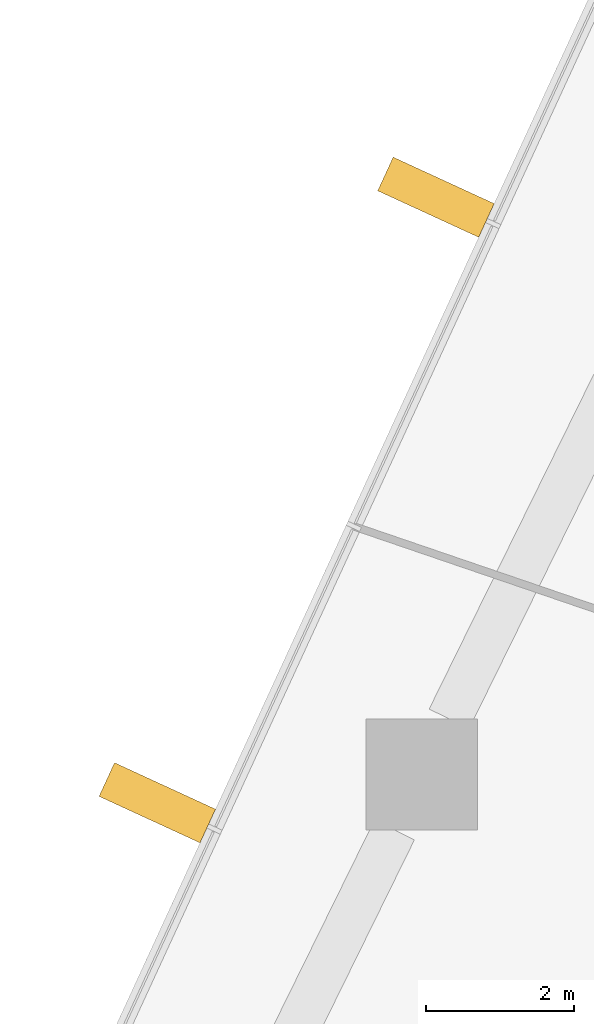
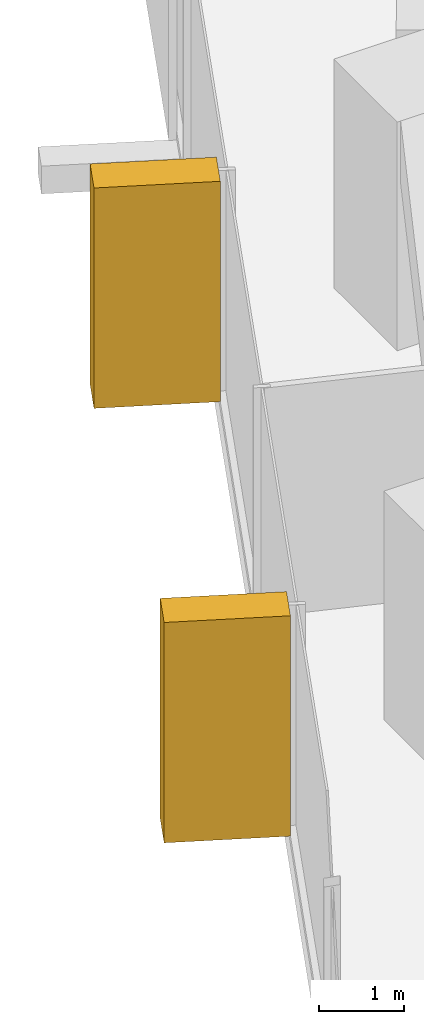
# One storey, part 24 of 26: 2 coverings, 1 element without a shape of its own.
"""IFC4 building model written with IfcOpenShell, lengths in metres."""

import ifcopenshell
import ifcopenshell.guid

model = None  # the IFC model being written
_history = None  # IfcOwnerHistory: only IFC2X3 demands one
_inside = {}  # id of a spatial element -> (the spatial element, [elements in it])
_under = {}  # id of a project, library or spatial element -> (it, [spatial elements below it])
_declared = {}  # id of a project -> (the project, [libraries it declares])
_typed = {}  # id of a type object -> (the type object, [elements of that type])
_made_of = {}  # id of a material, layer set ... -> (it, [elements and type objects made of it])


def new_model(schema):
    """Start an empty IFC model of exactly this schema.

    Asked for "IFC4X3", IfcOpenShell would pick the latest addendum, in which some entities
    have other attributes; the version numbers below select the first issue.
    IFC2X3 requires an IfcOwnerHistory on every rooted entity: one is made here for all.
    """
    global model, _history
    if schema == "IFC4X3":
        model = ifcopenshell.file(schema_version=(4, 3, 0, 0))
    else:
        model = ifcopenshell.file(schema=schema)
    _inside.clear()
    _under.clear()
    _declared.clear()
    _typed.clear()
    _made_of.clear()
    _history = None
    if model.schema == "IFC2X3":
        org = make("IfcOrganization", Name="unknown")
        user = make(
            "IfcPersonAndOrganization",
            ThePerson=make("IfcPerson", FamilyName="unknown"),
            TheOrganization=org,
        )
        app = make(
            "IfcApplication",
            ApplicationDeveloper=org,
            Version="unknown",
            ApplicationFullName="unknown",
            ApplicationIdentifier="unknown",
        )
        _history = make(
            "IfcOwnerHistory",
            OwningUser=user,
            OwningApplication=app,
            ChangeAction="ADDED",
            CreationDate=0,
        )
    return model


def make(cls, **values):
    """One entity of the class cls with the attributes given. An attribute that is None is left unset."""
    return model.create_entity(
        cls, **{name: value for name, value in values.items() if value is not None}
    )


def rooted(cls, **values):
    """An entity with a GlobalId (a new one), such as an element, a storey or a relation."""
    return make(cls, GlobalId=ifcopenshell.guid.new(), OwnerHistory=_history, **values)


def si_unit(unit_type, name, prefix=None):
    """IfcSIUnit, for example si_unit("LENGTHUNIT", "METRE", prefix="MILLI")."""
    return make("IfcSIUnit", UnitType=unit_type, Prefix=prefix, Name=name)


def assignment(units):
    """IfcUnitAssignment: the units of a project."""
    return None if units is None else make("IfcUnitAssignment", Units=units)


def point(xyz):
    """IfcCartesianPoint."""
    return None if xyz is None else make("IfcCartesianPoint", Coordinates=xyz)


def direction(xyz):
    """IfcDirection."""
    return None if xyz is None else make("IfcDirection", DirectionRatios=xyz)


def frame(location, z_axis=None, x_axis=None):
    """IfcAxis2Placement3D, a coordinate frame: its origin and axes. An axis left out is left unset."""
    return make(
        "IfcAxis2Placement3D",
        Location=point(location),
        Axis=direction(z_axis),
        RefDirection=direction(x_axis),
    )


def frame_2d(location, x_axis=None):
    """IfcAxis2Placement2D, a coordinate frame in the plane: its origin and x axis."""
    return make(
        "IfcAxis2Placement2D", Location=point(location), RefDirection=direction(x_axis)
    )


def origin():
    """The frame at (0, 0, 0) with its axes left unset."""
    return frame((0.0, 0.0, 0.0))


def origin_2d():
    """The frame at (0, 0) in the plane with its x axis left unset."""
    return frame_2d((0.0, 0.0))


def place(relative_to, where):
    """IfcLocalPlacement: puts the frame where relative to a parent placement (None: the world)."""
    return make(
        "IfcLocalPlacement", PlacementRelTo=relative_to, RelativePlacement=where
    )


def context(
    kind, dimensions, precision=None, world=None, true_north=None, identifier=None
):
    """IfcGeometricRepresentationContext, for example the 3D "Model" context."""
    return make(
        "IfcGeometricRepresentationContext",
        ContextIdentifier=identifier,
        ContextType=kind,
        CoordinateSpaceDimension=dimensions,
        Precision=precision,
        WorldCoordinateSystem=world,
        TrueNorth=true_north,
    )


def subcontext(parent, identifier, kind, view, scale=None):
    """IfcGeometricRepresentationSubContext, for example "Body" below "Model"."""
    return make(
        "IfcGeometricRepresentationSubContext",
        ContextIdentifier=identifier,
        ContextType=kind,
        ParentContext=parent,
        TargetScale=scale,
        TargetView=view,
    )


def project(units=None, contexts=None):
    """IfcProject with its units and contexts."""
    return rooted(
        "IfcProject",
        Name="project",
        RepresentationContexts=contexts,
        UnitsInContext=assignment(units),
    )


def spatial(cls, under=None, at=None, **own):
    """A site, building, storey or space (cls), placed at a placement, below another one or the project."""
    s = rooted(cls, ObjectPlacement=at, **own)
    if under is not None:
        _under.setdefault(under.id(), (under, []))[1].append(s)
    return s


def profile(cls, at=None, kind="AREA", **sizes):
    """A parametric profile (cls). Its sizes go by their IFC names, for example OverallWidth=200.0."""
    return make(cls, ProfileType=kind, Position=at, **sizes)


def rectangle(**sizes):
    """IfcRectangleProfileDef."""
    return profile("IfcRectangleProfileDef", **sizes)


def extrude(swept, where, along, depth):
    """IfcExtrudedAreaSolid: the profile swept, set in the frame where, extruded along a direction by depth."""
    return make(
        "IfcExtrudedAreaSolid",
        SweptArea=swept,
        Position=where,
        ExtrudedDirection=direction(along),
        Depth=depth,
    )


def shape(context_of_items, identifier, shape_type, items):
    """IfcShapeRepresentation: the items that make up one representation, for example the "Body"."""
    return make(
        "IfcShapeRepresentation",
        ContextOfItems=context_of_items,
        RepresentationIdentifier=identifier,
        RepresentationType=shape_type,
        Items=items,
    )


def material(Name=None, Category=None):
    """IfcMaterial."""
    return make("IfcMaterial", Name=Name, Category=Category)


def layer(
    of_material, thickness, ventilated=None, Name=None, Category=None, Priority=None
):
    """IfcMaterialLayer: one layer of a wall or slab, of a material (None: an air gap)."""
    return make(
        "IfcMaterialLayer",
        Material=of_material,
        LayerThickness=thickness,
        IsVentilated=ventilated,
        Name=Name,
        Category=Category,
        Priority=Priority,
    )


def layer_set(layers, Name=None):
    """IfcMaterialLayerSet."""
    return make("IfcMaterialLayerSet", MaterialLayers=layers, LayerSetName=Name)


def material_profile(
    of_material, cross_section, Name=None, Category=None, Priority=None
):
    """IfcMaterialProfile: a cross section and its material."""
    return make(
        "IfcMaterialProfile",
        Name=Name,
        Material=of_material,
        Profile=cross_section,
        Priority=Priority,
        Category=Category,
    )


def profile_set(profiles, Name=None, composite=None):
    """IfcMaterialProfileSet."""
    return make(
        "IfcMaterialProfileSet",
        Name=Name,
        MaterialProfiles=profiles,
        CompositeProfile=composite,
    )


def made_of(thing, what):
    """Note that an element or type object is made of a material, layer set ...; save() writes the relation."""
    if what is not None:
        _made_of.setdefault(what.id(), (what, []))[1].append(thing)
    return thing


def type_object(cls, material=None, **own):
    """A type object (cls), such as IfcWallType, which elements share."""
    return made_of(rooted(cls, **own), material)


def element(
    cls,
    number,
    at=None,
    inside=None,
    cuts=None,
    type_object=None,
    material=None,
    context=None,
    identifier="Body",
    shape_type=None,
    held_by="IfcProductDefinitionShape",
    body=None,
    shapes=None,
    **own,
):
    """One element of the class cls, such as IfcWall. Its Tag is "e" and its number.

    at: its placement. inside: the storey or other place that contains it. cuts: it is an
    opening in that element (IfcRelVoidsElement). A single representation is given by context,
    identifier, shape_type and body (its items); several are given by shapes. held_by: the class
    of the entity that holds the representations. save() writes the other relations.
    """
    e = rooted(cls, Tag="e%d" % number, ObjectPlacement=at, **own)
    if body is not None:
        shapes = [shape(context, identifier, shape_type, body)]
    if shapes is not None:
        e.Representation = make(held_by, Representations=shapes)
    if inside is not None:
        _inside.setdefault(inside.id(), (inside, []))[1].append(e)
    if cuts is not None:
        rooted(
            "IfcRelVoidsElement", RelatingBuildingElement=cuts, RelatedOpeningElement=e
        )
    if type_object is not None:
        _typed.setdefault(type_object.id(), (type_object, []))[1].append(e)
    return made_of(e, material)


def aggregate(whole, parts):
    """IfcRelAggregates: a whole, such as a stair, and the parts it consists of."""
    return rooted("IfcRelAggregates", RelatingObject=whole, RelatedObjects=parts)


def save(model, path):
    """Write the relations noted so far, then the file.

    IfcRelAggregates (storeys below a building ...), IfcRelContainedInSpatialStructure (elements
    in a storey), IfcRelDefinesByType, IfcRelAssociatesMaterial and IfcRelDeclares: one each for
    every whole, place, type object, material and project.
    """
    for whole, parts in _under.values():
        aggregate(whole, parts)
    for where, things in _inside.values():
        rooted(
            "IfcRelContainedInSpatialStructure",
            RelatedElements=things,
            RelatingStructure=where,
        )
    for kind, things in _typed.values():
        rooted("IfcRelDefinesByType", RelatedObjects=things, RelatingType=kind)
    for what, things in _made_of.values():
        rooted("IfcRelAssociatesMaterial", RelatedObjects=things, RelatingMaterial=what)
    for by, libraries in _declared.values():
        rooted("IfcRelDeclares", RelatingContext=by, RelatedDefinitions=libraries)
    model.write(path)


model = new_model("IFC4")

# Units and contexts
model_context = context("Model", 3, precision=1e-05, world=origin(), true_north=direction((0.0, 1.0)))
body_context = subcontext(model_context, "Body", "Model", "MODEL_VIEW")
ifc_project = project(units=[si_unit("LENGTHUNIT", "METRE"), si_unit("AREAUNIT", "SQUARE_METRE"), si_unit("VOLUMEUNIT", "CUBIC_METRE"), si_unit("PLANEANGLEUNIT", "RADIAN"), si_unit("MASSUNIT", "GRAM", prefix="KILO")], contexts=[model_context])

# Site, building, storey
site_placement = place(None, origin())
site = spatial("IfcSite", under=ifc_project, at=site_placement, CompositionType="ELEMENT")
building_placement = place(site_placement, origin())
building = spatial("IfcBuilding", under=site, at=building_placement, Name="Dongbaek Canopy Tower", CompositionType="ELEMENT")
storey_placement = place(building_placement, frame((0.0, 0.0, 66.199951171875)))
storey = spatial("IfcBuildingStorey", under=building, at=storey_placement, Name="L12", CompositionType="ELEMENT", Elevation=66.199951171875)

# Curtain wall, coverings
ifc_material_1 = material(Name="Aluminium 6063-T6 pale anodised", Category="aluminium")
ifc_layer = layer(ifc_material_1, 0.199951171875)
ifc_layer_set = layer_set([ifc_layer], Name="CW-1 unitised tower curtain wall")
curtain_wall_type = type_object("IfcCurtainWallType", Name="CW-1 unitised tower curtain wall", PredefinedType="NOTDEFINED", material=ifc_layer_set)
curtain_wall_placement = place(storey_placement, origin())
curtain_wall = element("IfcCurtainWall", 1, at=curtain_wall_placement, inside=storey, type_object=curtain_wall_type, Name="CW-1 curtain wall F2.1", PredefinedType="NOTDEFINED")
ifc_material_2 = material(Name="Aluminium 6063-T6 pale metal fin", Category="aluminium")
ifc_material_profile = material_profile(ifc_material_2, rectangle(XDim=1.5, YDim=0.5, at=origin_2d()), Name="Fin FN1 500 x 1500 pale metal")
ifc_profile_set = profile_set([ifc_material_profile], Name="Aluminium 6063-T6 pale metal fin")
covering_type = type_object("IfcCoveringType", Name="Fin FN1 500 x 1500 pale metal", PredefinedType="CLADDING", material=ifc_profile_set)
covering_1_placement = place(storey_placement, frame((-26.395263671875, 23.9052734375, 0.1201171875), z_axis=(0.0, 0.0, 1.0), x_axis=(-0.908435687115, 0.418024643264, 0.0)))
covering_1 = element("IfcCovering", 2, at=covering_1_placement, type_object=covering_type, Name="Fin F2.1.3", PredefinedType="CLADDING", context=body_context, shape_type="SweptSolid", body=[
    extrude(rectangle(XDim=1.5, YDim=0.5, at=origin_2d()), origin(), (0.0, 0.0, 1.0), 3.179931640625),
])
covering_2_placement = place(storey_placement, frame((-30.154541015625, 15.735595703125, 0.1201171875), z_axis=(0.0, 0.0, 1.0), x_axis=(-0.908435687115, 0.418024643264, 0.0)))
covering_2 = element("IfcCovering", 3, at=covering_2_placement, type_object=covering_type, Name="Fin F2.1.5", PredefinedType="CLADDING", context=body_context, shape_type="SweptSolid", body=[
    extrude(rectangle(XDim=1.5, YDim=0.5, at=origin_2d()), origin(), (0.0, 0.0, 1.0), 3.179931640625),
])
aggregate(curtain_wall, [covering_1, covering_2])

save(model, "model.ifc")
